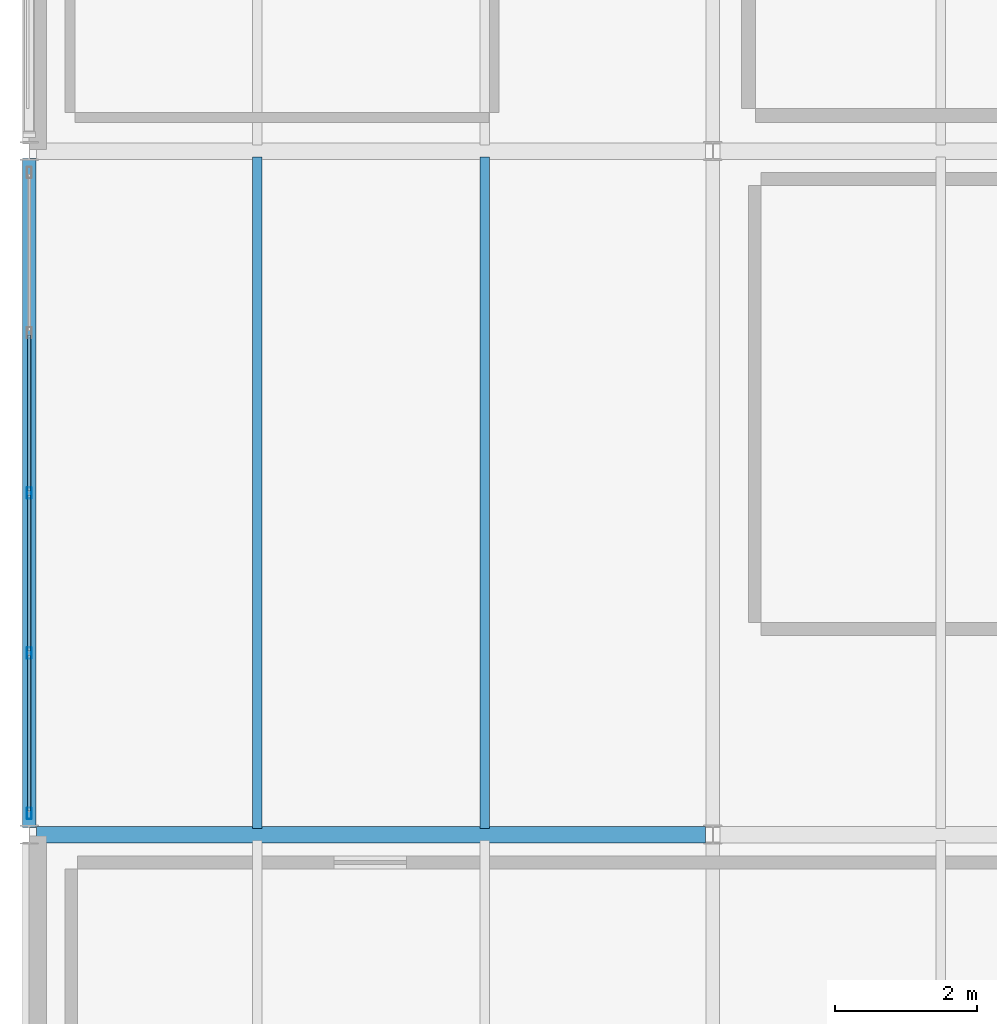
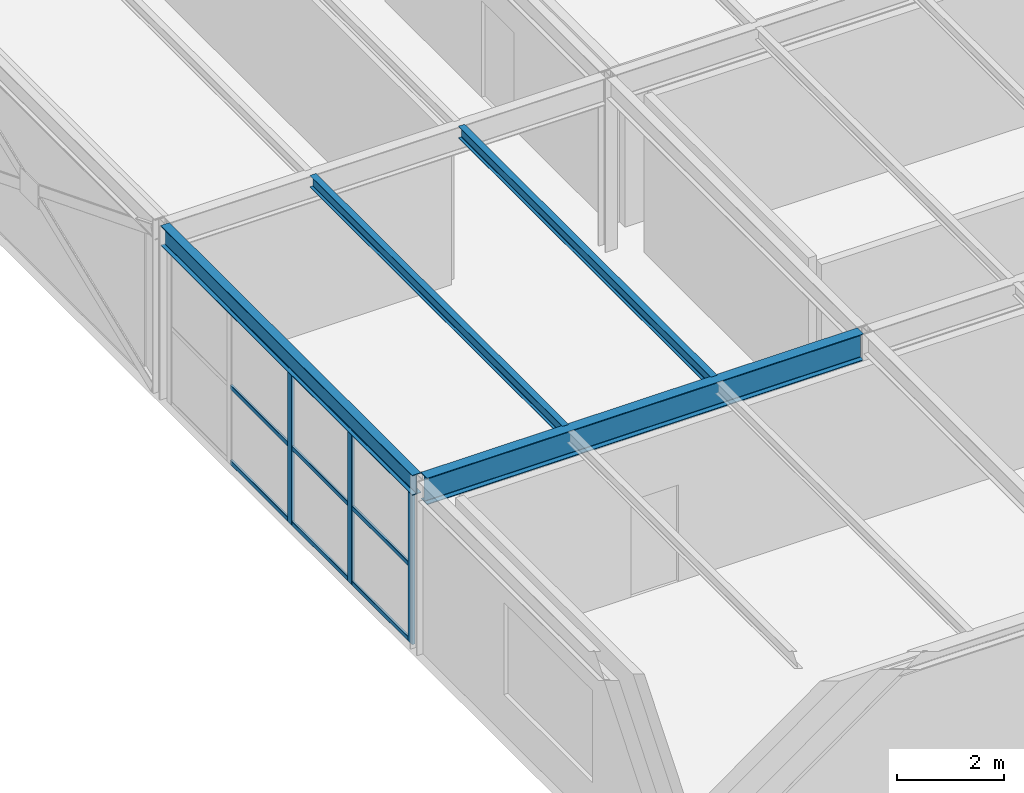
# One storey, part 7 of 39: 12 members, 4 beams, 1 element without a shape of its own.
"""IFC4 building model written with IfcOpenShell, lengths in metres."""

from ifc_helpers import new_model, si_unit, direction, frame, origin, origin_2d, place, context, subcontext, project, spatial, hollow_rectangle, i_section, extrude, material, material_profile, profile_set, type_object, element, aggregate, save


model = new_model("IFC4")

# Units and contexts
model_context = context("Model", 3, precision=1e-05, world=origin(), true_north=direction((0.0, 1.0)))
body_context = subcontext(model_context, "Body", "Model", "MODEL_VIEW")
ifc_project = project(units=[si_unit("LENGTHUNIT", "METRE"), si_unit("AREAUNIT", "SQUARE_METRE"), si_unit("VOLUMEUNIT", "CUBIC_METRE"), si_unit("PLANEANGLEUNIT", "RADIAN"), si_unit("MASSUNIT", "GRAM", prefix="KILO")], contexts=[model_context])

# Site, building, storey
site_placement = place(None, origin())
site = spatial("IfcSite", under=ifc_project, at=site_placement, CompositionType="ELEMENT")
building_placement = place(site_placement, origin())
building = spatial("IfcBuilding", under=site, at=building_placement, Name="Coralgate Yard Interchange", CompositionType="ELEMENT")
storey_placement = place(building_placement, frame((0.0, 0.0, 18.89990234375)))
storey = spatial("IfcBuildingStorey", under=building, at=storey_placement, Name="L04", CompositionType="ELEMENT", Elevation=18.89990234375)

# Beams
ifc_material_1 = material(Name="Structural steel S355J2", Category="steel")
ifc_material_profile_1 = material_profile(ifc_material_1, i_section(OverallWidth=0.1904296875, OverallDepth=0.45703125, WebThickness=0.009033203125, FlangeThickness=0.014404296875, FilletRadius=0.01025390625, at=origin_2d()), Name="UB 457x191x74")
ifc_profile_set_1 = profile_set([ifc_material_profile_1], Name="Structural steel S355J2")
beam_type_1 = type_object("IfcBeamType", Name="BM-SB-2", PredefinedType="BEAM", material=ifc_profile_set_1)
beam_1_placement = place(storey_placement, frame((0.0, 9.703369140625, 3.7216796875), z_axis=(0.0, 1.0, 0.0), x_axis=(-1.0, 0.0, 0.0)))
element("IfcBeam", 1, at=beam_1_placement, inside=storey, type_object=beam_type_1, Name="L04 primary grid girder X0 Y1-2", PredefinedType="BEAM", context=body_context, shape_type="SweptSolid", body=[
    extrude(i_section(OverallWidth=0.1904296875, OverallDepth=0.45703125, WebThickness=0.009033203125, FlangeThickness=0.014404296875, FilletRadius=0.01025390625, at=origin_2d()), origin(), (0.0, 0.0, 1.0), 9.393310546875),
])
ifc_material_profile_2 = material_profile(ifc_material_1, i_section(OverallWidth=0.228271484375, OverallDepth=0.607666015625, WebThickness=0.010986328125, FlangeThickness=0.017333984375, FilletRadius=0.0126953125, at=origin_2d()), Name="UB 610x229x113")
ifc_profile_set_2 = profile_set([ifc_material_profile_2], Name="Structural steel S355J2")
beam_type_2 = type_object("IfcBeamType", Name="BM-SG-5", PredefinedType="BEAM", material=ifc_profile_set_2)
beam_2_placement = place(storey_placement, frame((0.099365234375, 9.60009765625, 3.646240234375), z_axis=(1.0, 0.0, 0.0), x_axis=(0.0, 1.0, 0.0)))
element("IfcBeam", 2, at=beam_2_placement, inside=storey, type_object=beam_type_2, Name="L04 primary grid beam Y1 X0-1", PredefinedType="BEAM", context=body_context, shape_type="SweptSolid", body=[
    extrude(i_section(OverallWidth=0.228271484375, OverallDepth=0.607666015625, WebThickness=0.010986328125, FlangeThickness=0.017333984375, FilletRadius=0.0126953125, at=origin_2d()), origin(), (0.0, 0.0, 1.0), 9.401123046875),
])
ifc_material_profile_3 = material_profile(ifc_material_1, i_section(OverallWidth=0.135009765625, OverallDepth=0.27001953125, WebThickness=0.006591796875, FlangeThickness=0.01025390625, FilletRadius=0.014892578125, at=origin_2d()), Name="IPE 270")
ifc_profile_set_3 = profile_set([ifc_material_profile_3], Name="Structural steel S355J2")
beam_type_3 = type_object("IfcBeamType", Name="BM-SJ-3", PredefinedType="JOIST", material=ifc_profile_set_3)
for number, where, z_axis, x_axis, name in (
    (3, (3.199951171875, 9.68408203125, 3.815185546875), (0.0, 1.0, 0.0), (-1.0, 0.0, 0.0), "L04 composite floor joist 0-1-1"),
    (4, (6.39990234375, 9.68408203125, 3.815185546875), (0.0, 1.0, 0.0), (-1.0, 0.0, 0.0), "L04 composite floor joist 0-1-2"),
):
    element("IfcBeam", number, at=place(storey_placement, frame(where, z_axis=z_axis, x_axis=x_axis)), inside=storey, type_object=beam_type_3, Name=name, PredefinedType="JOIST", context=body_context, shape_type="SweptSolid", body=[
        extrude(i_section(OverallWidth=0.135009765625, OverallDepth=0.27001953125, WebThickness=0.006591796875, FlangeThickness=0.01025390625, FilletRadius=0.014892578125, at=origin_2d()), origin(), (0.0, 0.0, 1.0), 9.431884765625),
    ])

# Curtain wall, members
ifc_material_2 = material(Name="Anodised coastal aluminium and solar-control low-E glass", Category="aluminium")
curtain_wall_type = type_object("IfcCurtainWallType", Name="CW-CW-L04-A", PredefinedType="NOTDEFINED", material=ifc_material_2)
curtain_wall_placement = place(storey_placement, origin())
curtain_wall = element("IfcCurtainWall", 5, at=curtain_wall_placement, inside=storey, type_object=curtain_wall_type, Name="L04 unitised curtain wall CW-L04-W-00-01", PredefinedType="NOTDEFINED")
ifc_material_3 = material(Name="Anodised coastal aluminium 6063-T6", Category="aluminium")
ifc_material_profile_4 = material_profile(ifc_material_3, hollow_rectangle(XDim=0.06494140625, YDim=0.159912109375, WallThickness=0.00390625, InnerFilletRadius=0.00390625, OuterFilletRadius=0.008056640625, at=origin_2d()), Name="ALU 65x160x4")
ifc_profile_set_4 = profile_set([ifc_material_profile_4], Name="Anodised coastal aluminium 6063-T6")
member_type_1 = type_object("IfcMemberType", Name="MB-MUL-160", PredefinedType="MULLION", material=ifc_profile_set_4)
member_1_placement = place(storey_placement, frame((0.0, 9.89990234375, 0.0), z_axis=(0.0, 0.0, 1.0), x_axis=(1.0, 0.0, 0.0)))
member_1 = element("IfcMember", 6, at=member_1_placement, type_object=member_type_1, Name="CW-L04-W-00-01 vertical mullion 1", PredefinedType="MULLION", context=body_context, shape_type="SweptSolid", body=[
    extrude(hollow_rectangle(XDim=0.06494140625, YDim=0.159912109375, WallThickness=0.00390625, InnerFilletRadius=0.00390625, OuterFilletRadius=0.008056640625, at=origin_2d()), origin(), (0.0, 0.0, 1.0), 3.4931640625),
])
member_2_placement = place(storey_placement, frame((0.0, 12.14990234375, 0.0), z_axis=(0.0, 0.0, 1.0), x_axis=(1.0, 0.0, 0.0)))
member_2 = element("IfcMember", 7, at=member_2_placement, type_object=member_type_1, Name="CW-L04-W-00-01 vertical mullion 2", PredefinedType="MULLION", context=body_context, shape_type="SweptSolid", body=[
    extrude(hollow_rectangle(XDim=0.06494140625, YDim=0.159912109375, WallThickness=0.00390625, InnerFilletRadius=0.00390625, OuterFilletRadius=0.008056640625, at=origin_2d()), origin(), (0.0, 0.0, 1.0), 3.4931640625),
])
member_3_placement = place(storey_placement, frame((0.0, 14.39990234375, 0.0), z_axis=(0.0, 0.0, 1.0), x_axis=(1.0, 0.0, 0.0)))
member_3 = element("IfcMember", 8, at=member_3_placement, type_object=member_type_1, Name="CW-L04-W-00-01 vertical mullion 3", PredefinedType="MULLION", context=body_context, shape_type="SweptSolid", body=[
    extrude(hollow_rectangle(XDim=0.06494140625, YDim=0.159912109375, WallThickness=0.00390625, InnerFilletRadius=0.00390625, OuterFilletRadius=0.008056640625, at=origin_2d()), origin(), (0.0, 0.0, 1.0), 3.4931640625),
])
ifc_material_profile_5 = material_profile(ifc_material_3, hollow_rectangle(XDim=0.050048828125, YDim=0.10009765625, WallThickness=0.0029296875, InnerFilletRadius=0.0029296875, OuterFilletRadius=0.006103515625, at=origin_2d()), Name="ALU 50x100x3")
ifc_profile_set_5 = profile_set([ifc_material_profile_5], Name="Anodised coastal aluminium 6063-T6")
member_type_2 = type_object("IfcMemberType", Name="MB-TRN-100", PredefinedType="USERDEFINED", material=ifc_profile_set_5)
member_4_placement = place(storey_placement, frame((0.0, 9.929931640625, 0.03515625), z_axis=(0.0, 1.0, 0.0), x_axis=(-1.0, 0.0, 0.0)))
member_4 = element("IfcMember", 9, at=member_4_placement, type_object=member_type_2, Name="CW-L04-W-00-01 horizontal transom 1-1", ObjectType="TRANSOM", PredefinedType="USERDEFINED", context=body_context, shape_type="SweptSolid", body=[
    extrude(hollow_rectangle(XDim=0.050048828125, YDim=0.10009765625, WallThickness=0.0029296875, InnerFilletRadius=0.0029296875, OuterFilletRadius=0.006103515625, at=origin_2d()), origin(), (0.0, 0.0, 1.0), 2.190185546875),
])
member_5_placement = place(storey_placement, frame((0.0, 9.929931640625, 1.74658203125), z_axis=(0.0, 1.0, 0.0), x_axis=(-1.0, 0.0, 0.0)))
member_5 = element("IfcMember", 10, at=member_5_placement, type_object=member_type_2, Name="CW-L04-W-00-01 horizontal transom 1-2", ObjectType="TRANSOM", PredefinedType="USERDEFINED", context=body_context, shape_type="SweptSolid", body=[
    extrude(hollow_rectangle(XDim=0.050048828125, YDim=0.10009765625, WallThickness=0.0029296875, InnerFilletRadius=0.0029296875, OuterFilletRadius=0.006103515625, at=origin_2d()), origin(), (0.0, 0.0, 1.0), 2.190185546875),
])
member_6_placement = place(storey_placement, frame((0.0, 9.929931640625, 3.4580078125), z_axis=(0.0, 1.0, 0.0), x_axis=(-1.0, 0.0, 0.0)))
member_6 = element("IfcMember", 11, at=member_6_placement, type_object=member_type_2, Name="CW-L04-W-00-01 horizontal transom 1-3", ObjectType="TRANSOM", PredefinedType="USERDEFINED", context=body_context, shape_type="SweptSolid", body=[
    extrude(hollow_rectangle(XDim=0.050048828125, YDim=0.10009765625, WallThickness=0.0029296875, InnerFilletRadius=0.0029296875, OuterFilletRadius=0.006103515625, at=origin_2d()), origin(), (0.0, 0.0, 1.0), 2.190185546875),
])
member_7_placement = place(storey_placement, frame((0.0, 12.179931640625, 0.03515625), z_axis=(0.0, 1.0, 0.0), x_axis=(-1.0, 0.0, 0.0)))
member_7 = element("IfcMember", 12, at=member_7_placement, type_object=member_type_2, Name="CW-L04-W-00-01 horizontal transom 2-1", ObjectType="TRANSOM", PredefinedType="USERDEFINED", context=body_context, shape_type="SweptSolid", body=[
    extrude(hollow_rectangle(XDim=0.050048828125, YDim=0.10009765625, WallThickness=0.0029296875, InnerFilletRadius=0.0029296875, OuterFilletRadius=0.006103515625, at=origin_2d()), origin(), (0.0, 0.0, 1.0), 2.190185546875),
])
member_8_placement = place(storey_placement, frame((0.0, 12.179931640625, 1.74658203125), z_axis=(0.0, 1.0, 0.0), x_axis=(-1.0, 0.0, 0.0)))
member_8 = element("IfcMember", 13, at=member_8_placement, type_object=member_type_2, Name="CW-L04-W-00-01 horizontal transom 2-2", ObjectType="TRANSOM", PredefinedType="USERDEFINED", context=body_context, shape_type="SweptSolid", body=[
    extrude(hollow_rectangle(XDim=0.050048828125, YDim=0.10009765625, WallThickness=0.0029296875, InnerFilletRadius=0.0029296875, OuterFilletRadius=0.006103515625, at=origin_2d()), origin(), (0.0, 0.0, 1.0), 2.190185546875),
])
member_9_placement = place(storey_placement, frame((0.0, 12.179931640625, 3.4580078125), z_axis=(0.0, 1.0, 0.0), x_axis=(-1.0, 0.0, 0.0)))
member_9 = element("IfcMember", 14, at=member_9_placement, type_object=member_type_2, Name="CW-L04-W-00-01 horizontal transom 2-3", ObjectType="TRANSOM", PredefinedType="USERDEFINED", context=body_context, shape_type="SweptSolid", body=[
    extrude(hollow_rectangle(XDim=0.050048828125, YDim=0.10009765625, WallThickness=0.0029296875, InnerFilletRadius=0.0029296875, OuterFilletRadius=0.006103515625, at=origin_2d()), origin(), (0.0, 0.0, 1.0), 2.190185546875),
])
member_10_placement = place(storey_placement, frame((0.0, 14.429931640625, 0.03515625), z_axis=(0.0, 1.0, 0.0), x_axis=(-1.0, 0.0, 0.0)))
member_10 = element("IfcMember", 15, at=member_10_placement, type_object=member_type_2, Name="CW-L04-W-00-01 horizontal transom 3-1", ObjectType="TRANSOM", PredefinedType="USERDEFINED", context=body_context, shape_type="SweptSolid", body=[
    extrude(hollow_rectangle(XDim=0.050048828125, YDim=0.10009765625, WallThickness=0.0029296875, InnerFilletRadius=0.0029296875, OuterFilletRadius=0.006103515625, at=origin_2d()), origin(), (0.0, 0.0, 1.0), 2.190185546875),
])
member_11_placement = place(storey_placement, frame((0.0, 14.429931640625, 1.74658203125), z_axis=(0.0, 1.0, 0.0), x_axis=(-1.0, 0.0, 0.0)))
member_11 = element("IfcMember", 16, at=member_11_placement, type_object=member_type_2, Name="CW-L04-W-00-01 horizontal transom 3-2", ObjectType="TRANSOM", PredefinedType="USERDEFINED", context=body_context, shape_type="SweptSolid", body=[
    extrude(hollow_rectangle(XDim=0.050048828125, YDim=0.10009765625, WallThickness=0.0029296875, InnerFilletRadius=0.0029296875, OuterFilletRadius=0.006103515625, at=origin_2d()), origin(), (0.0, 0.0, 1.0), 2.190185546875),
])
member_12_placement = place(storey_placement, frame((0.0, 14.429931640625, 3.4580078125), z_axis=(0.0, 1.0, 0.0), x_axis=(-1.0, 0.0, 0.0)))
member_12 = element("IfcMember", 17, at=member_12_placement, type_object=member_type_2, Name="CW-L04-W-00-01 horizontal transom 3-3", ObjectType="TRANSOM", PredefinedType="USERDEFINED", context=body_context, shape_type="SweptSolid", body=[
    extrude(hollow_rectangle(XDim=0.050048828125, YDim=0.10009765625, WallThickness=0.0029296875, InnerFilletRadius=0.0029296875, OuterFilletRadius=0.006103515625, at=origin_2d()), origin(), (0.0, 0.0, 1.0), 2.190185546875),
])
aggregate(curtain_wall, [member_1, member_2, member_3, member_4, member_5, member_6, member_7, member_8, member_9, member_10, member_11, member_12])

save(model, "model.ifc")
